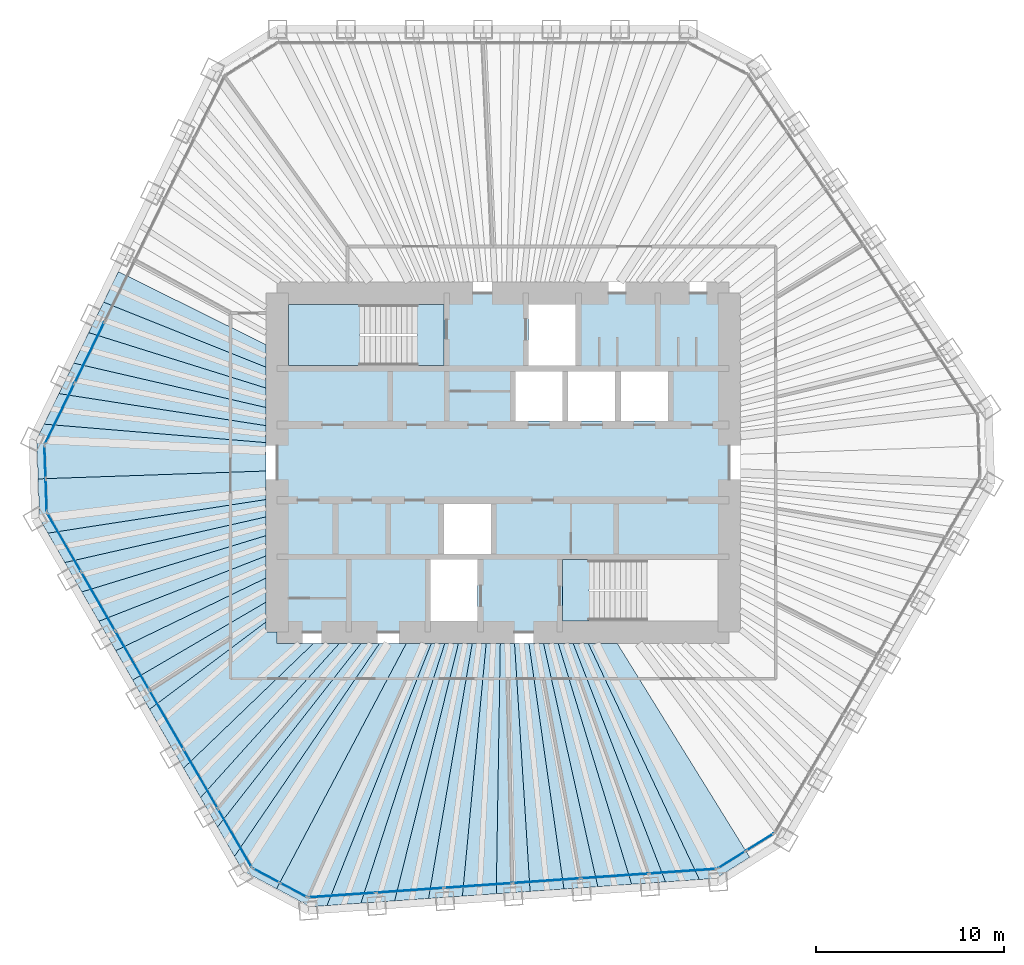
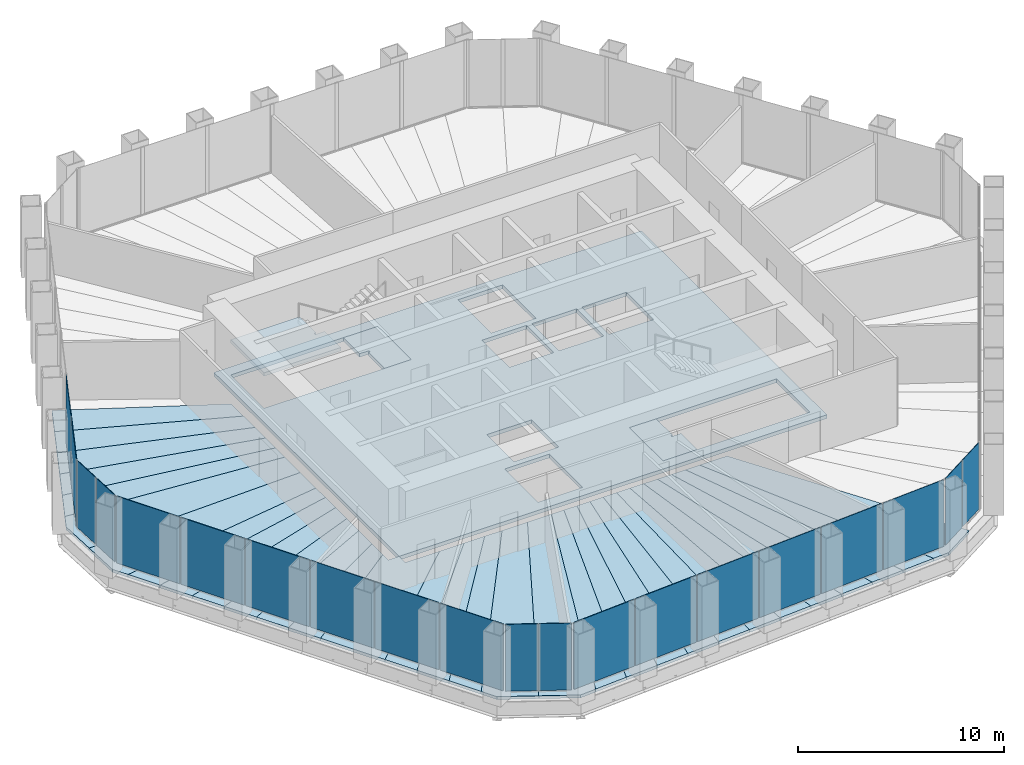
# One storey, part 8 of 13: 35 slabs, 20 plates, 8 elements without a shape of their own.
"""IFC4 building model written with IfcOpenShell, lengths in metres."""

from ifc_helpers import new_model, si_unit, direction, frame, origin, origin_2d, place, context, subcontext, project, spatial, polyline, rectangle, outline, extrude, material, layer, layer_set, type_object, element, aggregate, save


model = new_model("IFC4")

# Units and contexts
model_context = context("Model", 3, precision=1e-05, world=origin(), true_north=direction((0.0, 1.0)))
body_context = subcontext(model_context, "Body", "Model", "MODEL_VIEW")
ifc_project = project(units=[si_unit("LENGTHUNIT", "METRE"), si_unit("AREAUNIT", "SQUARE_METRE"), si_unit("VOLUMEUNIT", "CUBIC_METRE"), si_unit("PLANEANGLEUNIT", "RADIAN"), si_unit("MASSUNIT", "GRAM", prefix="KILO")], contexts=[model_context])

# Site, building, storey
site_placement = place(None, origin())
site = spatial("IfcSite", under=ifc_project, at=site_placement, CompositionType="ELEMENT")
building_placement = place(site_placement, origin())
building = spatial("IfcBuilding", under=site, at=building_placement, Name="Qingtian Harvest Tower", CompositionType="ELEMENT")
storey_placement = place(building_placement, frame((0.0, 0.0, 226.60009765625)))
storey = spatial("IfcBuildingStorey", under=building, at=storey_placement, Name="L49", CompositionType="ELEMENT", Elevation=226.60009765625)

# Slabs
ifc_material_1 = material(Name="Concrete fc' 35 MPa", Category="concrete")
ifc_layer_1 = layer(ifc_material_1, 0.169921875)
ifc_layer_set_1 = layer_set([ifc_layer_1], Name="Composite floor slab FS17 170")
slab_type_1 = type_object("IfcSlabType", Name="Composite floor slab FS17 170", PredefinedType="FLOOR", material=ifc_layer_set_1)
slab_1_placement = place(storey_placement, frame((0.0, 0.0, -0.170166015625)))
element("IfcSlab", 1, at=slab_1_placement, inside=storey, type_object=slab_type_1, Name="Floor slab L49 panel D01", PredefinedType="FLOOR", context=body_context, shape_type="SweptSolid", body=[
    extrude(outline(polyline([(-24.6865234375, -0.862060546875), (-12.60009765625, -0.443115234375), (-12.60009765625, -1.958984375), (-24.17236328125, -3.742431640625), (-24.612548828125, -2.979736328125), (-24.6865234375, -0.862060546875)])), origin(), (0.0, 0.0, 1.0), 0.170166015625),
])
slab_2_placement = place(storey_placement, frame((0.0, 0.0, -0.170166015625)))
element("IfcSlab", 2, at=slab_2_placement, inside=storey, type_object=slab_type_1, Name="Floor slab L49 panel D02", PredefinedType="FLOOR", context=body_context, shape_type="SweptSolid", body=[
    extrude(outline(polyline([(-12.60009765625, -2.880126953125), (-23.271484375, -5.302490234375), (-24.17236328125, -3.742431640625), (-12.60009765625, -1.958984375), (-12.60009765625, -2.880126953125)])), origin(), (0.0, 0.0, 1.0), 0.170166015625),
])
slab_3_placement = place(storey_placement, frame((0.0, 0.0, -0.170166015625)))
element("IfcSlab", 3, at=slab_3_placement, inside=storey, type_object=slab_type_1, Name="Floor slab L49 panel D03", PredefinedType="FLOOR", context=body_context, shape_type="SweptSolid", body=[
    extrude(outline(polyline([(-12.60009765625, -3.87548828125), (-22.370849609375, -6.862548828125), (-23.271484375, -5.302490234375), (-12.60009765625, -2.880126953125), (-12.60009765625, -3.87548828125)])), origin(), (0.0, 0.0, 1.0), 0.170166015625),
])
slab_4_placement = place(storey_placement, frame((0.0, 0.0, -0.170166015625)))
element("IfcSlab", 4, at=slab_4_placement, inside=storey, type_object=slab_type_1, Name="Floor slab L49 panel D04", PredefinedType="FLOOR", context=body_context, shape_type="SweptSolid", body=[
    extrude(outline(polyline([(-12.60009765625, -4.95458984375), (-21.47021484375, -8.422607421875), (-22.370849609375, -6.862548828125), (-12.60009765625, -3.87548828125), (-12.60009765625, -4.95458984375)])), origin(), (0.0, 0.0, 1.0), 0.170166015625),
])
slab_5_placement = place(storey_placement, frame((0.0, 0.0, -0.170166015625)))
element("IfcSlab", 5, at=slab_5_placement, inside=storey, type_object=slab_type_1, Name="Floor slab L49 panel D05", PredefinedType="FLOOR", context=body_context, shape_type="SweptSolid", body=[
    extrude(outline(polyline([(-12.60009765625, -6.128173828125), (-20.569580078125, -9.982666015625), (-21.47021484375, -8.422607421875), (-12.60009765625, -4.95458984375), (-12.60009765625, -6.128173828125)])), origin(), (0.0, 0.0, 1.0), 0.170166015625),
])
slab_6_placement = place(storey_placement, frame((0.0, 0.0, -0.170166015625)))
element("IfcSlab", 6, at=slab_6_placement, inside=storey, type_object=slab_type_1, Name="Floor slab L49 panel D06", PredefinedType="FLOOR", context=body_context, shape_type="SweptSolid", body=[
    extrude(outline(polyline([(-12.60009765625, -7.409423828125), (-19.668701171875, -11.542724609375), (-20.569580078125, -9.982666015625), (-12.60009765625, -6.128173828125), (-12.60009765625, -7.409423828125)])), origin(), (0.0, 0.0, 1.0), 0.170166015625),
])
slab_7_placement = place(storey_placement, frame((0.0, 0.0, -0.170166015625)))
element("IfcSlab", 7, at=slab_7_placement, inside=storey, type_object=slab_type_1, Name="Floor slab L49 panel D07", PredefinedType="FLOOR", context=body_context, shape_type="SweptSolid", body=[
    extrude(outline(polyline([(-12.60009765625, -8.46435546875), (-18.771728515625, -13.0966796875), (-19.668701171875, -11.542724609375), (-12.60009765625, -7.409423828125), (-12.60009765625, -8.46435546875)])), origin(), (0.0, 0.0, 1.0), 0.170166015625),
])
slab_8_placement = place(storey_placement, frame((0.0, 0.0, -0.170166015625)))
element("IfcSlab", 8, at=slab_8_placement, inside=storey, type_object=slab_type_1, Name="Floor slab L49 panel D09", PredefinedType="FLOOR", context=body_context, shape_type="SweptSolid", body=[
    extrude(outline(polyline([(-16.967041015625, -16.22216796875), (-18.771728515625, -13.0966796875), (-12.60009765625, -8.46435546875), (-12.60009765625, -9.0), (-12.0, -9.0), (-12.0, -9.60009765625), (-10.07666015625, -9.60009765625), (-16.967041015625, -16.22216796875)])), origin(), (0.0, 0.0, 1.0), 0.170166015625),
])
slab_9_placement = place(storey_placement, frame((0.0, 0.0, -0.170166015625)))
element("IfcSlab", 9, at=slab_9_placement, inside=storey, type_object=slab_type_1, Name="Floor slab L49 panel D10", PredefinedType="FLOOR", context=body_context, shape_type="SweptSolid", body=[
    extrude(outline(polyline([(-8.700927734375, -9.60009765625), (-16.06640625, -17.7822265625), (-16.967041015625, -16.22216796875), (-10.07666015625, -9.60009765625), (-8.700927734375, -9.60009765625)])), origin(), (0.0, 0.0, 1.0), 0.170166015625),
])
slab_10_placement = place(storey_placement, frame((0.0, 0.0, -0.170166015625)))
element("IfcSlab", 10, at=slab_10_placement, inside=storey, type_object=slab_type_1, Name="Floor slab L49 panel D11", PredefinedType="FLOOR", context=body_context, shape_type="SweptSolid", body=[
    extrude(outline(polyline([(-7.548095703125, -9.60009765625), (-15.16552734375, -19.34228515625), (-16.06640625, -17.7822265625), (-8.700927734375, -9.60009765625), (-7.548095703125, -9.60009765625)])), origin(), (0.0, 0.0, 1.0), 0.170166015625),
])
slab_11_placement = place(storey_placement, frame((0.0, 0.0, -0.170166015625)))
element("IfcSlab", 11, at=slab_11_placement, inside=storey, type_object=slab_type_1, Name="Floor slab L49 panel D12", PredefinedType="FLOOR", context=body_context, shape_type="SweptSolid", body=[
    extrude(outline(polyline([(-6.568359375, -9.60009765625), (-14.264892578125, -20.90234375), (-15.16552734375, -19.34228515625), (-7.548095703125, -9.60009765625), (-6.568359375, -9.60009765625)])), origin(), (0.0, 0.0, 1.0), 0.170166015625),
])
slab_12_placement = place(storey_placement, frame((0.0, 0.0, -0.170166015625)))
element("IfcSlab", 12, at=slab_12_placement, inside=storey, type_object=slab_type_1, Name="Floor slab L49 panel D13", PredefinedType="FLOOR", context=body_context, shape_type="SweptSolid", body=[
    extrude(outline(polyline([(-6.568359375, -9.60009765625), (-5.14501953125, -9.60009765625), (-12.028076171875, -22.620361328125), (-13.82470703125, -21.6650390625), (-14.264892578125, -20.90234375), (-6.568359375, -9.60009765625)])), origin(), (0.0, 0.0, 1.0), 0.170166015625),
])
slab_13_placement = place(storey_placement, frame((0.0, 0.0, -0.170166015625)))
element("IfcSlab", 13, at=slab_13_placement, inside=storey, type_object=slab_type_1, Name="Floor slab L49 panel D14", PredefinedType="FLOOR", context=body_context, shape_type="SweptSolid", body=[
    extrude(outline(polyline([(-5.14501953125, -9.60009765625), (-3.817138671875, -9.60009765625), (-9.352294921875, -23.5146484375), (-10.23046875, -23.576171875), (-12.028076171875, -22.620361328125), (-5.14501953125, -9.60009765625)])), origin(), (0.0, 0.0, 1.0), 0.170166015625),
])
slab_14_placement = place(storey_placement, frame((0.0, 0.0, -0.170166015625)))
element("IfcSlab", 14, at=slab_14_placement, inside=storey, type_object=slab_type_1, Name="Floor slab L49 panel D15", PredefinedType="FLOOR", context=body_context, shape_type="SweptSolid", body=[
    extrude(outline(polyline([(-3.10009765625, -9.60009765625), (-7.55517578125, -23.388916015625), (-9.352294921875, -23.5146484375), (-3.817138671875, -9.60009765625), (-3.10009765625, -9.60009765625)])), origin(), (0.0, 0.0, 1.0), 0.170166015625),
])
slab_15_placement = place(storey_placement, frame((0.0, 0.0, -0.170166015625)))
element("IfcSlab", 15, at=slab_15_placement, inside=storey, type_object=slab_type_1, Name="Floor slab L49 panel D16", PredefinedType="FLOOR", context=body_context, shape_type="SweptSolid", body=[
    extrude(outline(polyline([(-2.375244140625, -9.60009765625), (-5.75830078125, -23.263427734375), (-7.55517578125, -23.388916015625), (-3.10009765625, -9.60009765625), (-2.375244140625, -9.60009765625)])), origin(), (0.0, 0.0, 1.0), 0.170166015625),
])
slab_16_placement = place(storey_placement, frame((0.0, 0.0, -0.170166015625)))
element("IfcSlab", 16, at=slab_16_placement, inside=storey, type_object=slab_type_1, Name="Floor slab L49 panel D17", PredefinedType="FLOOR", context=body_context, shape_type="SweptSolid", body=[
    extrude(outline(polyline([(-1.642578125, -9.60009765625), (-3.96142578125, -23.1376953125), (-5.75830078125, -23.263427734375), (-2.375244140625, -9.60009765625), (-1.642578125, -9.60009765625)])), origin(), (0.0, 0.0, 1.0), 0.170166015625),
])
slab_17_placement = place(storey_placement, frame((0.0, 0.0, -0.170166015625)))
element("IfcSlab", 17, at=slab_17_placement, inside=storey, type_object=slab_type_1, Name="Floor slab L49 panel D18", PredefinedType="FLOOR", context=body_context, shape_type="SweptSolid", body=[
    extrude(outline(polyline([(-0.90185546875, -9.60009765625), (-2.164306640625, -23.011962890625), (-3.96142578125, -23.1376953125), (-1.642578125, -9.60009765625), (-0.90185546875, -9.60009765625)])), origin(), (0.0, 0.0, 1.0), 0.170166015625),
])
slab_18_placement = place(storey_placement, frame((0.0, 0.0, -0.170166015625)))
element("IfcSlab", 18, at=slab_18_placement, inside=storey, type_object=slab_type_1, Name="Floor slab L49 panel D19", PredefinedType="FLOOR", context=body_context, shape_type="SweptSolid", body=[
    extrude(outline(polyline([(-0.153076171875, -9.60009765625), (-0.367431640625, -22.886474609375), (-2.164306640625, -23.011962890625), (-0.90185546875, -9.60009765625), (-0.153076171875, -9.60009765625)])), origin(), (0.0, 0.0, 1.0), 0.170166015625),
])
slab_19_placement = place(storey_placement, frame((0.0, 0.0, -0.170166015625)))
element("IfcSlab", 19, at=slab_19_placement, inside=storey, type_object=slab_type_1, Name="Floor slab L49 panel D20", PredefinedType="FLOOR", context=body_context, shape_type="SweptSolid", body=[
    extrude(outline(polyline([(0.60400390625, -9.60009765625), (1.4296875, -22.7607421875), (-0.367431640625, -22.886474609375), (-0.153076171875, -9.60009765625), (0.60400390625, -9.60009765625)])), origin(), (0.0, 0.0, 1.0), 0.170166015625),
])
slab_20_placement = place(storey_placement, frame((0.0, 0.0, -0.170166015625)))
element("IfcSlab", 20, at=slab_20_placement, inside=storey, type_object=slab_type_1, Name="Floor slab L49 panel D21", PredefinedType="FLOOR", context=body_context, shape_type="SweptSolid", body=[
    extrude(outline(polyline([(1.36962890625, -9.60009765625), (3.2265625, -22.635009765625), (1.4296875, -22.7607421875), (0.60400390625, -9.60009765625), (1.36962890625, -9.60009765625)])), origin(), (0.0, 0.0, 1.0), 0.170166015625),
])
slab_21_placement = place(storey_placement, frame((0.0, 0.0, -0.170166015625)))
element("IfcSlab", 21, at=slab_21_placement, inside=storey, type_object=slab_type_1, Name="Floor slab L49 panel D22", PredefinedType="FLOOR", context=body_context, shape_type="SweptSolid", body=[
    extrude(outline(polyline([(2.1435546875, -9.60009765625), (5.023681640625, -22.509521484375), (3.2265625, -22.635009765625), (1.36962890625, -9.60009765625), (2.1435546875, -9.60009765625)])), origin(), (0.0, 0.0, 1.0), 0.170166015625),
])
slab_22_placement = place(storey_placement, frame((0.0, 0.0, -0.170166015625)))
element("IfcSlab", 22, at=slab_22_placement, inside=storey, type_object=slab_type_1, Name="Floor slab L49 panel D23", PredefinedType="FLOOR", context=body_context, shape_type="SweptSolid", body=[
    extrude(outline(polyline([(2.92626953125, -9.60009765625), (6.820556640625, -22.3837890625), (5.023681640625, -22.509521484375), (2.1435546875, -9.60009765625), (2.92626953125, -9.60009765625)])), origin(), (0.0, 0.0, 1.0), 0.170166015625),
])
slab_23_placement = place(storey_placement, frame((0.0, 0.0, -0.170166015625)))
element("IfcSlab", 23, at=slab_23_placement, inside=storey, type_object=slab_type_1, Name="Floor slab L49 panel D24", PredefinedType="FLOOR", context=body_context, shape_type="SweptSolid", body=[
    extrude(outline(polyline([(3.718017578125, -9.60009765625), (8.61767578125, -22.258056640625), (6.820556640625, -22.3837890625), (2.92626953125, -9.60009765625), (3.718017578125, -9.60009765625)])), origin(), (0.0, 0.0, 1.0), 0.170166015625),
])
slab_24_placement = place(storey_placement, frame((0.0, 0.0, -0.170166015625)))
element("IfcSlab", 24, at=slab_24_placement, inside=storey, type_object=slab_type_1, Name="Floor slab L49 panel D25", PredefinedType="FLOOR", context=body_context, shape_type="SweptSolid", body=[
    extrude(outline(polyline([(4.5185546875, -9.60009765625), (10.41455078125, -22.13232421875), (8.61767578125, -22.258056640625), (3.718017578125, -9.60009765625), (4.5185546875, -9.60009765625)])), origin(), (0.0, 0.0, 1.0), 0.170166015625),
])
slab_25_placement = place(storey_placement, frame((0.0, 0.0, -0.170166015625)))
element("IfcSlab", 25, at=slab_25_placement, inside=storey, type_object=slab_type_1, Name="Floor slab L49 panel D26", PredefinedType="FLOOR", context=body_context, shape_type="SweptSolid", body=[
    extrude(outline(polyline([(4.5185546875, -9.60009765625), (6.059326171875, -9.60009765625), (13.090576171875, -20.94775390625), (11.292724609375, -22.071044921875), (10.41455078125, -22.13232421875), (4.5185546875, -9.60009765625)])), origin(), (0.0, 0.0, 1.0), 0.170166015625),
])
slab_26_placement = place(storey_placement, frame((0.0, 0.0, -0.170166015625)))
element("IfcSlab", 26, at=slab_26_placement, inside=storey, type_object=slab_type_1, Name="Floor slab L49 panel D73", PredefinedType="FLOOR", context=body_context, shape_type="SweptSolid", body=[
    extrude(outline(polyline([(-12.60009765625, 5.072509765625), (-21.2158203125, 8.5234375), (-20.426025390625, 10.142578125), (-12.60009765625, 6.268310546875), (-12.60009765625, 5.072509765625)])), origin(), (0.0, 0.0, 1.0), 0.170166015625),
])
slab_27_placement = place(storey_placement, frame((0.0, 0.0, -0.170166015625)))
element("IfcSlab", 27, at=slab_27_placement, inside=storey, type_object=slab_type_1, Name="Floor slab L49 panel D74", PredefinedType="FLOOR", context=body_context, shape_type="SweptSolid", body=[
    extrude(outline(polyline([(-12.60009765625, 3.962890625), (-22.00537109375, 6.904296875), (-21.2158203125, 8.5234375), (-12.60009765625, 5.072509765625), (-12.60009765625, 3.962890625)])), origin(), (0.0, 0.0, 1.0), 0.170166015625),
])
slab_28_placement = place(storey_placement, frame((0.0, 0.0, -0.170166015625)))
element("IfcSlab", 28, at=slab_28_placement, inside=storey, type_object=slab_type_1, Name="Floor slab L49 panel D75", PredefinedType="FLOOR", context=body_context, shape_type="SweptSolid", body=[
    extrude(outline(polyline([(-12.60009765625, 2.929931640625), (-22.795166015625, 5.28515625), (-22.00537109375, 6.904296875), (-12.60009765625, 3.962890625), (-12.60009765625, 2.929931640625)])), origin(), (0.0, 0.0, 1.0), 0.170166015625),
])
slab_29_placement = place(storey_placement, frame((0.0, 0.0, -0.170166015625)))
element("IfcSlab", 29, at=slab_29_placement, inside=storey, type_object=slab_type_1, Name="Floor slab L49 panel D76", PredefinedType="FLOOR", context=body_context, shape_type="SweptSolid", body=[
    extrude(outline(polyline([(-12.60009765625, 1.96630859375), (-23.584716796875, 3.666259765625), (-22.795166015625, 5.28515625), (-12.60009765625, 2.929931640625), (-12.60009765625, 1.96630859375)])), origin(), (0.0, 0.0, 1.0), 0.170166015625),
])
slab_30_placement = place(storey_placement, frame((0.0, 0.0, -0.170166015625)))
element("IfcSlab", 30, at=slab_30_placement, inside=storey, type_object=slab_type_1, Name="Floor slab L49 panel D77", PredefinedType="FLOOR", context=body_context, shape_type="SweptSolid", body=[
    extrude(outline(polyline([(-12.60009765625, 1.065185546875), (-24.37451171875, 2.047119140625), (-23.584716796875, 3.666259765625), (-12.60009765625, 1.96630859375), (-12.60009765625, 1.065185546875)])), origin(), (0.0, 0.0, 1.0), 0.170166015625),
])
slab_31_placement = place(storey_placement, frame((0.0, 0.0, -0.170166015625)))
element("IfcSlab", 31, at=slab_31_placement, inside=storey, type_object=slab_type_1, Name="Floor slab L49 panel D78", PredefinedType="FLOOR", context=body_context, shape_type="SweptSolid", body=[
    extrude(outline(polyline([(-12.60009765625, 1.065185546875), (-12.60009765625, -0.443115234375), (-24.6865234375, -0.862060546875), (-24.760498046875, 1.255615234375), (-24.37451171875, 2.047119140625), (-12.60009765625, 1.065185546875)])), origin(), (0.0, 0.0, 1.0), 0.170166015625),
])
ifc_material_2 = material(Name="Concrete fc' 35 MPa", Category="concrete")
ifc_layer_2 = layer(ifc_material_2, 0.219970703125)
ifc_layer_set_2 = layer_set([ifc_layer_2], Name="Core floor slab CS22 220")
slab_type_2 = type_object("IfcSlabType", Name="Core floor slab CS22 220", PredefinedType="FLOOR", material=ifc_layer_set_2)
slab_32_placement = place(storey_placement, frame((0.0, 0.0, -0.22021484375)))
element("IfcSlab", 32, at=slab_32_placement, inside=storey, type_object=slab_type_2, Name="Core floor slab L49", PredefinedType="FLOOR", context=body_context, shape_type="SweptSolid", body=[
    extrude(outline(polyline([(-12.0, -9.0), (12.0, -9.0), (12.0, 9.0), (-12.0, 9.0), (-12.0, -9.0)]), holes=[polyline([(-11.39990234375, 5.14990234375), (-3.14990234375, 5.14990234375), (-3.14990234375, 8.39990234375), (-11.39990234375, 8.39990234375), (-11.39990234375, 5.14990234375)]), polyline([(3.14990234375, -8.39990234375), (11.39990234375, -8.39990234375), (11.39990234375, -5.14990234375), (3.14990234375, -5.14990234375), (3.14990234375, -8.39990234375)]), polyline([(1.35009765625, 5.14990234375), (3.85009765625, 5.14990234375), (3.85009765625, 8.39990234375), (1.35009765625, 8.39990234375), (1.35009765625, 5.14990234375)]), polyline([(-3.85009765625, -8.39990234375), (-1.35009765625, -8.39990234375), (-1.35009765625, -5.14990234375), (-3.85009765625, -5.14990234375), (-3.85009765625, -8.39990234375)]), polyline([(0.64990234375, 2.199951171875), (3.14990234375, 2.199951171875), (3.14990234375, 4.85009765625), (0.64990234375, 4.85009765625), (0.64990234375, 2.199951171875)]), polyline([(3.449951171875, 2.199951171875), (5.949951171875, 2.199951171875), (5.949951171875, 4.85009765625), (3.449951171875, 4.85009765625), (3.449951171875, 2.199951171875)]), polyline([(6.25, 2.199951171875), (8.75, 2.199951171875), (8.75, 4.85009765625), (6.25, 4.85009765625), (6.25, 2.199951171875)]), polyline([(-3.14990234375, -4.85009765625), (-0.64990234375, -4.85009765625), (-0.64990234375, -2.199951171875), (-3.14990234375, -2.199951171875), (-3.14990234375, -4.85009765625)])]), origin(), (0.0, 0.0, 1.0), 0.22021484375),
])

# Curtain wall, plates
ifc_material_3 = material(Name="Bronze-anodised aluminium curtain wall", Category="aluminium")
curtain_wall_type = type_object("IfcCurtainWallType", Name="Curtain wall CW4 office", PredefinedType="USERDEFINED", material=ifc_material_3)
curtain_wall_1_placement = place(storey_placement, origin())
curtain_wall_1 = element("IfcCurtainWall", 33, at=curtain_wall_1_placement, inside=storey, type_object=curtain_wall_type, Name="Curtain wall CW4 L49 SEC", ObjectType="RECESSED CURTAIN WALL", PredefinedType="USERDEFINED")
ifc_material_4 = material(Name="Bronze-tinted laminated insulating glass", Category="glass")
ifc_layer_3 = layer(ifc_material_4, 0.030029296875)
ifc_layer_set_3 = layer_set([ifc_layer_3], Name="Glazed panel CWP tinted IGU")
plate_type = type_object("IfcPlateType", Name="Glazed panel CWP tinted IGU", PredefinedType="CURTAIN_PANEL", material=ifc_layer_set_3)
plate_1_placement = place(storey_placement, frame((13.624755859375, -20.1455078125, 0.06494140625), z_axis=(0.0, 0.0, 1.0), x_axis=(-0.848048096156, -0.529919264233, 0.0)))
plate_1 = element("IfcPlate", 34, at=plate_1_placement, type_object=plate_type, Name="CW4 panel 1.1", PredefinedType="CURTAIN_PANEL", context=body_context, shape_type="SweptSolid", body=[
    extrude(rectangle(XDim=1.69287109375, YDim=0.030029296875, at=origin_2d()), origin(), (0.0, 0.0, 1.0), 3.965087890625),
])
plate_2_placement = place(storey_placement, frame((12.134033203125, -21.076904296875, 0.06494140625), z_axis=(0.0, 0.0, 1.0), x_axis=(-0.848048096156, -0.529919264233, 0.0)))
plate_2 = element("IfcPlate", 35, at=plate_2_placement, type_object=plate_type, Name="CW4 panel 2.1", PredefinedType="CURTAIN_PANEL", context=body_context, shape_type="SweptSolid", body=[
    extrude(rectangle(XDim=1.69287109375, YDim=0.030029296875, at=origin_2d()), origin(), (0.0, 0.0, 1.0), 3.965087890625),
])
aggregate(curtain_wall_1, [plate_1, plate_2])

curtain_wall_2_placement = place(storey_placement, origin())
curtain_wall_2 = element("IfcCurtainWall", 36, at=curtain_wall_2_placement, inside=storey, type_object=curtain_wall_type, Name="Curtain wall CW4 L49 S0-5", ObjectType="RECESSED CURTAIN WALL", PredefinedType="USERDEFINED")
plate_3_placement = place(storey_placement, frame((9.532470703125, -21.68798828125, 0.06494140625), z_axis=(0.0, 0.0, 1.0), x_axis=(-0.99756405026, -0.069756473744, 0.0)))
plate_3 = element("IfcPlate", 37, at=plate_3_placement, type_object=plate_type, Name="CW4 panel 1.1", PredefinedType="CURTAIN_PANEL", context=body_context, shape_type="SweptSolid", body=[
    extrude(rectangle(XDim=3.5361328125, YDim=0.030029296875, at=origin_2d()), origin(), (0.0, 0.0, 1.0), 3.965087890625),
])
plate_4_placement = place(storey_placement, frame((5.923828125, -21.940185546875, 0.06494140625), z_axis=(0.0, 0.0, 1.0), x_axis=(-0.99756405026, -0.069756473744, 0.0)))
plate_4 = element("IfcPlate", 38, at=plate_4_placement, type_object=plate_type, Name="CW4 panel 2.1", PredefinedType="CURTAIN_PANEL", context=body_context, shape_type="SweptSolid", body=[
    extrude(rectangle(XDim=3.568603515625, YDim=0.030029296875, at=origin_2d()), origin(), (0.0, 0.0, 1.0), 3.965087890625),
])
plate_5_placement = place(storey_placement, frame((2.299072265625, -22.193603515625, 0.06494140625), z_axis=(0.0, 0.0, 1.0), x_axis=(-0.99756405026, -0.069756473744, 0.0)))
plate_5 = element("IfcPlate", 39, at=plate_5_placement, type_object=plate_type, Name="CW4 panel 3.1", PredefinedType="CURTAIN_PANEL", context=body_context, shape_type="SweptSolid", body=[
    extrude(rectangle(XDim=3.568603515625, YDim=0.030029296875, at=origin_2d()), origin(), (0.0, 0.0, 1.0), 3.965087890625),
])
plate_6_placement = place(storey_placement, frame((-1.325439453125, -22.447021484375, 0.06494140625), z_axis=(0.0, 0.0, 1.0), x_axis=(-0.99756405026, -0.069756473744, 0.0)))
plate_6 = element("IfcPlate", 40, at=plate_6_placement, type_object=plate_type, Name="CW4 panel 4.1", PredefinedType="CURTAIN_PANEL", context=body_context, shape_type="SweptSolid", body=[
    extrude(rectangle(XDim=3.568603515625, YDim=0.030029296875, at=origin_2d()), origin(), (0.0, 0.0, 1.0), 3.965087890625),
])
plate_7_placement = place(storey_placement, frame((-4.9501953125, -22.70068359375, 0.06494140625), z_axis=(0.0, 0.0, 1.0), x_axis=(-0.99756405026, -0.069756473744, 0.0)))
plate_7 = element("IfcPlate", 41, at=plate_7_placement, type_object=plate_type, Name="CW4 panel 5.1", PredefinedType="CURTAIN_PANEL", context=body_context, shape_type="SweptSolid", body=[
    extrude(rectangle(XDim=3.568603515625, YDim=0.030029296875, at=origin_2d()), origin(), (0.0, 0.0, 1.0), 3.965087890625),
])
plate_8_placement = place(storey_placement, frame((-8.55859375, -22.952880859375, 0.06494140625), z_axis=(0.0, 0.0, 1.0), x_axis=(-0.99756405026, -0.069756473744, 0.0)))
plate_8 = element("IfcPlate", 42, at=plate_8_placement, type_object=plate_type, Name="CW4 panel 6.1", PredefinedType="CURTAIN_PANEL", context=body_context, shape_type="SweptSolid", body=[
    extrude(rectangle(XDim=3.5361328125, YDim=0.030029296875, at=origin_2d()), origin(), (0.0, 0.0, 1.0), 3.965087890625),
])
aggregate(curtain_wall_2, [plate_3, plate_4, plate_5, plate_6, plate_7, plate_8])

curtain_wall_3_placement = place(storey_placement, origin())
curtain_wall_3 = element("IfcCurtainWall", 43, at=curtain_wall_3_placement, inside=storey, type_object=curtain_wall_type, Name="Curtain wall CW4 L49 SC", ObjectType="RECESSED CURTAIN WALL", PredefinedType="USERDEFINED")
plate_9_placement = place(storey_placement, frame((-11.136474609375, -22.682373046875, 0.06494140625), z_axis=(0.0, 0.0, 1.0), x_axis=(-0.882947592859, 0.469471562786, 0.0)))
plate_9 = element("IfcPlate", 44, at=plate_9_placement, type_object=plate_type, Name="CW4 panel 1.1", PredefinedType="CURTAIN_PANEL", context=body_context, shape_type="SweptSolid", body=[
    extrude(rectangle(XDim=1.56689453125, YDim=0.030029296875, at=origin_2d()), origin(), (0.0, 0.0, 1.0), 3.965087890625),
])
plate_10_placement = place(storey_placement, frame((-12.5771484375, -21.916259765625, 0.06494140625), z_axis=(0.0, 0.0, 1.0), x_axis=(-0.882947592859, 0.469471562786, 0.0)))
plate_10 = element("IfcPlate", 45, at=plate_10_placement, type_object=plate_type, Name="CW4 panel 2.1", PredefinedType="CURTAIN_PANEL", context=body_context, shape_type="SweptSolid", body=[
    extrude(rectangle(XDim=1.56689453125, YDim=0.030029296875, at=origin_2d()), origin(), (0.0, 0.0, 1.0), 3.965087890625),
])
aggregate(curtain_wall_3, [plate_9, plate_10])

curtain_wall_4_placement = place(storey_placement, origin())
curtain_wall_4 = element("IfcCurtainWall", 46, at=curtain_wall_4_placement, inside=storey, type_object=curtain_wall_type, Name="Curtain wall CW4 L49 SW0-5", ObjectType="RECESSED CURTAIN WALL", PredefinedType="USERDEFINED")
plate_11_placement = place(storey_placement, frame((-14.242919921875, -19.9306640625, 0.06494140625), z_axis=(0.0, 0.0, 1.0), x_axis=(-0.5, 0.866025403784, 0.0)))
plate_11 = element("IfcPlate", 47, at=plate_11_placement, type_object=plate_type, Name="CW4 panel 1.1", PredefinedType="CURTAIN_PANEL", context=body_context, shape_type="SweptSolid", body=[
    extrude(rectangle(XDim=3.5361328125, YDim=0.030029296875, at=origin_2d()), origin(), (0.0, 0.0, 1.0), 3.965087890625),
])
plate_12_placement = place(storey_placement, frame((-16.051513671875, -16.7978515625, 0.06494140625), z_axis=(0.0, 0.0, 1.0), x_axis=(-0.5, 0.866025403784, 0.0)))
plate_12 = element("IfcPlate", 48, at=plate_12_placement, type_object=plate_type, Name="CW4 panel 2.1", PredefinedType="CURTAIN_PANEL", context=body_context, shape_type="SweptSolid", body=[
    extrude(rectangle(XDim=3.568603515625, YDim=0.030029296875, at=origin_2d()), origin(), (0.0, 0.0, 1.0), 3.965087890625),
])
plate_13_placement = place(storey_placement, frame((-17.868408203125, -13.651123046875, 0.06494140625), z_axis=(0.0, 0.0, 1.0), x_axis=(-0.5, 0.866025403784, 0.0)))
plate_13 = element("IfcPlate", 49, at=plate_13_placement, type_object=plate_type, Name="CW4 panel 3.1", PredefinedType="CURTAIN_PANEL", context=body_context, shape_type="SweptSolid", body=[
    extrude(rectangle(XDim=3.568603515625, YDim=0.030029296875, at=origin_2d()), origin(), (0.0, 0.0, 1.0), 3.965087890625),
])
plate_14_placement = place(storey_placement, frame((-19.68505859375, -10.50439453125, 0.06494140625), z_axis=(0.0, 0.0, 1.0), x_axis=(-0.5, 0.866025403784, 0.0)))
plate_14 = element("IfcPlate", 50, at=plate_14_placement, type_object=plate_type, Name="CW4 panel 4.1", PredefinedType="CURTAIN_PANEL", context=body_context, shape_type="SweptSolid", body=[
    extrude(rectangle(XDim=3.568603515625, YDim=0.030029296875, at=origin_2d()), origin(), (0.0, 0.0, 1.0), 3.965087890625),
])
plate_15_placement = place(storey_placement, frame((-21.501953125, -7.357666015625, 0.06494140625), z_axis=(0.0, 0.0, 1.0), x_axis=(-0.5, 0.866025403784, 0.0)))
plate_15 = element("IfcPlate", 51, at=plate_15_placement, type_object=plate_type, Name="CW4 panel 5.1", PredefinedType="CURTAIN_PANEL", context=body_context, shape_type="SweptSolid", body=[
    extrude(rectangle(XDim=3.568603515625, YDim=0.030029296875, at=origin_2d()), origin(), (0.0, 0.0, 1.0), 3.965087890625),
])
plate_16_placement = place(storey_placement, frame((-23.310546875, -4.22509765625, 0.06494140625), z_axis=(0.0, 0.0, 1.0), x_axis=(-0.5, 0.866025403784, 0.0)))
plate_16 = element("IfcPlate", 52, at=plate_16_placement, type_object=plate_type, Name="CW4 panel 6.1", PredefinedType="CURTAIN_PANEL", context=body_context, shape_type="SweptSolid", body=[
    extrude(rectangle(XDim=3.5361328125, YDim=0.030029296875, at=origin_2d()), origin(), (0.0, 0.0, 1.0), 3.965087890625),
])
aggregate(curtain_wall_4, [plate_11, plate_12, plate_13, plate_14, plate_15, plate_16])

curtain_wall_5_placement = place(storey_placement, origin())
curtain_wall_5 = element("IfcCurtainWall", 53, at=curtain_wall_5_placement, inside=storey, type_object=curtain_wall_type, Name="Curtain wall CW4 L49 SWC", ObjectType="RECESSED CURTAIN WALL", PredefinedType="USERDEFINED")
plate_17_placement = place(storey_placement, frame((-24.2587890625, -1.7265625, 0.06494140625), z_axis=(0.0, 0.0, 1.0), x_axis=(-0.034899496703, 0.999390827019, 0.0)))
plate_17 = element("IfcPlate", 54, at=plate_17_placement, type_object=plate_type, Name="CW4 panel 1.1", PredefinedType="CURTAIN_PANEL", context=body_context, shape_type="SweptSolid", body=[
    extrude(rectangle(XDim=1.69287109375, YDim=0.030029296875, at=origin_2d()), origin(), (0.0, 0.0, 1.0), 3.965087890625),
])
plate_18_placement = place(storey_placement, frame((-24.320068359375, 0.0302734375, 0.06494140625), z_axis=(0.0, 0.0, 1.0), x_axis=(-0.034899496703, 0.999390827019, 0.0)))
plate_18 = element("IfcPlate", 55, at=plate_18_placement, type_object=plate_type, Name="CW4 panel 2.1", PredefinedType="CURTAIN_PANEL", context=body_context, shape_type="SweptSolid", body=[
    extrude(rectangle(XDim=1.69287109375, YDim=0.030029296875, at=origin_2d()), origin(), (0.0, 0.0, 1.0), 3.965087890625),
])
aggregate(curtain_wall_5, [plate_17, plate_18])

curtain_wall_6_placement = place(storey_placement, origin())
curtain_wall_6 = element("IfcCurtainWall", 56, at=curtain_wall_6_placement, inside=storey, type_object=curtain_wall_type, Name="Curtain wall CW4 L49 NW0-5", ObjectType="RECESSED CURTAIN WALL", PredefinedType="USERDEFINED")
plate_19_placement = place(storey_placement, frame((-23.54833984375, 2.588623046875, 0.06494140625), z_axis=(0.0, 0.0, 1.0), x_axis=(0.438371146789, 0.898794046299, 0.0)))
plate_19 = element("IfcPlate", 57, at=plate_19_placement, type_object=plate_type, Name="CW4 panel 1.1", PredefinedType="CURTAIN_PANEL", context=body_context, shape_type="SweptSolid", body=[
    extrude(rectangle(XDim=3.5361328125, YDim=0.030029296875, at=origin_2d()), origin(), (0.0, 0.0, 1.0), 3.965087890625),
])
plate_20_placement = place(storey_placement, frame((-21.962646484375, 5.83984375, 0.06494140625), z_axis=(0.0, 0.0, 1.0), x_axis=(0.438371146789, 0.898794046299, 0.0)))
plate_20 = element("IfcPlate", 58, at=plate_20_placement, type_object=plate_type, Name="CW4 panel 2.1", PredefinedType="CURTAIN_PANEL", context=body_context, shape_type="SweptSolid", body=[
    extrude(rectangle(XDim=3.568603515625, YDim=0.030029296875, at=origin_2d()), origin(), (0.0, 0.0, 1.0), 3.965087890625),
])
aggregate(curtain_wall_6, [plate_19, plate_20])

# Stair, slabs
ifc_material_5 = material(Name="Concrete fc' 35 MPa", Category="concrete")
stair_type = type_object("IfcStairType", Name="Special stair ST4 4200", PredefinedType="HALF_TURN_STAIR", material=ifc_material_5)
stair_1_placement = place(storey_placement, origin())
stair_1 = element("IfcStair", 59, at=stair_1_placement, inside=storey, type_object=stair_type, Name="Special stair S1 L49", PredefinedType="HALF_TURN_STAIR")
ifc_material_6 = material(Name="Concrete fc' 35 MPa", Category="concrete")
ifc_layer_4 = layer(ifc_material_6, 0.199951171875)
ifc_layer_set_4 = layer_set([ifc_layer_4], Name="Stair landing SL2 200")
slab_type_3 = type_object("IfcSlabType", Name="Stair landing SL2 200", PredefinedType="LANDING", material=ifc_layer_set_4)
slab_33_placement = place(storey_placement, frame((0.0, 0.0, -0.2001953125)))
slab_33 = element("IfcSlab", 60, at=slab_33_placement, type_object=slab_type_3, Name="S1 landing 1", PredefinedType="LANDING", context=body_context, shape_type="SweptSolid", body=[
    extrude(outline(polyline([(-4.64990234375, 5.14990234375), (-4.64990234375, 6.72509765625), (-4.550048828125, 6.72509765625), (-4.550048828125, 6.824951171875), (-5.0849609375, 6.824951171875), (-5.0849609375, 8.39990234375), (-3.14990234375, 8.39990234375), (-3.14990234375, 5.14990234375), (-4.64990234375, 5.14990234375)])), origin(), (0.0, 0.0, 1.0), 0.2001953125),
])
slab_34_placement = place(storey_placement, frame((0.0, 0.0, 1.89990234375)))
slab_34 = element("IfcSlab", 61, at=slab_34_placement, type_object=slab_type_3, Name="S1 landing 2", PredefinedType="LANDING", context=body_context, shape_type="SweptSolid", body=[
    extrude(outline(polyline([(-7.094970703125, 5.14990234375), (-11.39990234375, 5.14990234375), (-11.39990234375, 8.39990234375), (-7.530029296875, 8.39990234375), (-7.530029296875, 6.824951171875), (-7.6298828125, 6.824951171875), (-7.6298828125, 6.72509765625), (-7.094970703125, 6.72509765625), (-7.094970703125, 5.14990234375)])), origin(), (0.0, 0.0, 1.0), 0.199951171875),
])
aggregate(stair_1, [slab_33, slab_34])

# Stair, slab
stair_2_placement = place(storey_placement, origin())
stair_2 = element("IfcStair", 62, at=stair_2_placement, inside=storey, type_object=stair_type, Name="Special stair S2 L49", PredefinedType="HALF_TURN_STAIR")
slab_35_placement = place(storey_placement, frame((0.0, 0.0, -0.2001953125)))
slab_35 = element("IfcSlab", 63, at=slab_35_placement, type_object=slab_type_3, Name="S2 landing 1", PredefinedType="LANDING", context=body_context, shape_type="SweptSolid", body=[
    extrude(outline(polyline([(5.0849609375, -8.39990234375), (3.14990234375, -8.39990234375), (3.14990234375, -5.14990234375), (4.64990234375, -5.14990234375), (4.64990234375, -6.72509765625), (4.550048828125, -6.72509765625), (4.550048828125, -6.824951171875), (5.0849609375, -6.824951171875), (5.0849609375, -8.39990234375)])), origin(), (0.0, 0.0, 1.0), 0.2001953125),
])
aggregate(stair_2, [slab_35])

save(model, "model.ifc")
